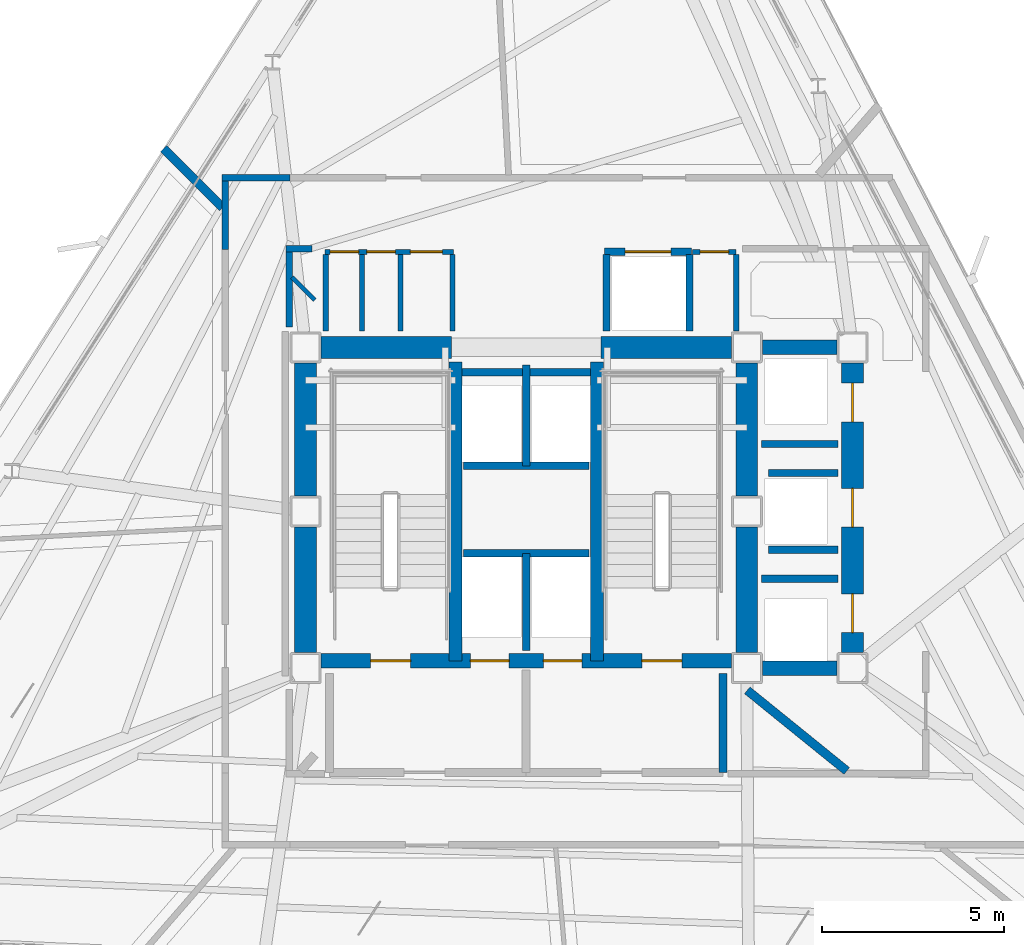
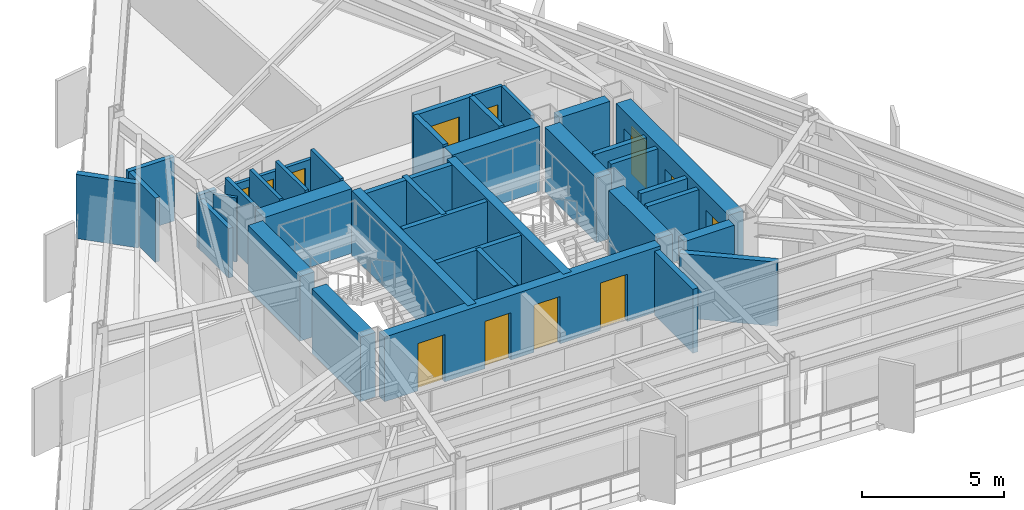
# One storey, part 8 of 12: 39 walls, 12 doors, 12 openings.
"""IFC4 building model written with IfcOpenShell, lengths in metres."""

from ifc_helpers import new_model, si_unit, direction, frame, frame_2d, origin, place, context, subcontext, project, spatial, rectangle, extrude, material, layer, layer_set, type_object, element, fill, save


model = new_model("IFC4")

# Units and contexts
model_context = context("Model", 3, precision=1e-05, world=origin(), true_north=direction((0.0, 1.0)))
body_context = subcontext(model_context, "Body", "Model", "MODEL_VIEW")
ifc_project = project(units=[si_unit("LENGTHUNIT", "METRE"), si_unit("AREAUNIT", "SQUARE_METRE"), si_unit("VOLUMEUNIT", "CUBIC_METRE"), si_unit("PLANEANGLEUNIT", "RADIAN"), si_unit("MASSUNIT", "GRAM", prefix="KILO")], contexts=[model_context])

# Site, building, storey
site_placement = place(None, origin())
site = spatial("IfcSite", under=ifc_project, at=site_placement, CompositionType="ELEMENT")
building_placement = place(site_placement, origin())
building = spatial("IfcBuilding", under=site, at=building_placement, Name="Rocaltana Carrier Exchange", CompositionType="ELEMENT")
storey_placement = place(building_placement, frame((0.0, 0.0, 128.9599609375)))
storey = spatial("IfcBuildingStorey", under=building, at=storey_placement, Name="L40", CompositionType="ELEMENT", Elevation=128.9599609375)

# Walls
ifc_material_1 = material(Name="Concrete C50/60", Category="concrete")
ifc_layer_1 = layer(ifc_material_1, 0.35009765625)
ifc_layer_set_1 = layer_set([ifc_layer_1], Name="Concrete C50/60")
wall_type_1 = type_object("IfcWallType", Name="Core Internal Shear Wall 350", PredefinedType="SHEAR", material=ifc_layer_set_1)
for number, where, z_axis, x_axis, name in (
    (1, (-1.93994140625, -4.10009765625, 0.0), (0.0, 0.0, 1.0), (0.0, 1.0, 0.0), "L40 Core Shear Wall CW-STW"),
    (2, (1.93994140625, -4.10009765625, 0.0), (0.0, 0.0, 1.0), (0.0, 1.0, 0.0), "L40 Core Shear Wall CW-STE"),
):
    element("IfcWall", number, at=place(storey_placement, frame(where, z_axis=z_axis, x_axis=x_axis)), inside=storey, type_object=wall_type_1, Name=name, PredefinedType="SHEAR", context=body_context, shape_type="SweptSolid", body=[
        extrude(rectangle(XDim=8.2001953125, YDim=0.35009765625, at=frame_2d((4.10009765625, 0.0))), origin(), (0.0, 0.0, 1.0), 2.7880859375),
    ])

# Wall, openings, doors
ifc_material_2 = material(Name="Concrete C50/60", Category="concrete")
ifc_layer_2 = layer(ifc_material_2, 0.39990234375)
ifc_layer_set_2 = layer_set([ifc_layer_2], Name="Concrete C50/60")
wall_type_2 = type_object("IfcWallType", Name="Core Internal Shear Wall 400", PredefinedType="SHEAR", material=ifc_layer_set_2)
wall_1_placement = place(storey_placement, frame((-5.625, -4.10009765625, 0.0), z_axis=(0.0, 0.0, 1.0), x_axis=(1.0, 0.0, 0.0)))
wall_1 = element("IfcWall", 3, at=wall_1_placement, inside=storey, type_object=wall_type_2, Name="L40 Core Shear Wall CW-S", PredefinedType="SHEAR", context=body_context, shape_type="SweptSolid", body=[
    extrude(rectangle(XDim=11.25, YDim=0.39990234375, at=frame_2d((5.625, 0.0))), origin(), (0.0, 0.0, 1.0), 2.7880859375),
])
opening_1_placement = place(wall_1_placement, frame((1.35498046875, 0.0, 0.0)))
opening_1 = element("IfcOpeningElement", 4, at=opening_1_placement, cuts=wall_1, Name="Opening D-ST110", PredefinedType="OPENING", context=body_context, shape_type="SweptSolid", body=[
    extrude(rectangle(XDim=1.10009765625, YDim=2.0400390625, at=frame_2d((0.550048828125, 1.02001953125))), frame((0.0, 0.2099609375, 0.0), z_axis=(0.0, -1.0, 0.0), x_axis=(1.0, 0.0, 0.0)), (0.0, 0.0, 1.0), 0.419921875),
])
opening_2_placement = place(wall_1_placement, frame((8.794921875, 0.0, 0.0)))
opening_2 = element("IfcOpeningElement", 5, at=opening_2_placement, cuts=wall_1, Name="Opening D-ST110", PredefinedType="OPENING", context=body_context, shape_type="SweptSolid", body=[
    extrude(rectangle(XDim=1.10009765625, YDim=2.0400390625, at=frame_2d((0.550048828125, 1.02001953125))), frame((0.0, 0.2099609375, 0.0), z_axis=(0.0, -1.0, 0.0), x_axis=(1.0, 0.0, 0.0)), (0.0, 0.0, 1.0), 0.419921875),
])
opening_3_placement = place(wall_1_placement, frame((4.094970703125, 0.0, 0.0)))
opening_3 = element("IfcOpeningElement", 6, at=opening_3_placement, cuts=wall_1, Name="Opening LD-110", PredefinedType="OPENING", context=body_context, shape_type="SweptSolid", body=[
    extrude(rectangle(XDim=1.06005859375, YDim=2.0400390625, at=frame_2d((0.530029296875, 1.02001953125))), frame((0.0, 0.2099609375, 0.0), z_axis=(0.0, -1.0, 0.0), x_axis=(1.0, 0.0, 0.0)), (0.0, 0.0, 1.0), 0.419921875),
])
opening_4_placement = place(wall_1_placement, frame((6.094970703125, 0.0, 0.0)))
opening_4 = element("IfcOpeningElement", 7, at=opening_4_placement, cuts=wall_1, Name="Opening LD-110", PredefinedType="OPENING", context=body_context, shape_type="SweptSolid", body=[
    extrude(rectangle(XDim=1.06005859375, YDim=2.0400390625, at=frame_2d((0.530029296875, 1.02001953125))), frame((0.0, 0.2099609375, 0.0), z_axis=(0.0, -1.0, 0.0), x_axis=(1.0, 0.0, 0.0)), (0.0, 0.0, 1.0), 0.419921875),
])
ifc_material_3 = material(Name="Hollow Metal Fire Door Assembly", Category="steel")
door_type_1 = type_object("IfcDoorType", Name="Exit Stair Fire Door 1100x2040 FD90S", OperationType="NOTDEFINED", PredefinedType="DOOR", material=ifc_material_3)
door_1_placement = place(opening_1_placement, origin())
door_1 = element("IfcDoor", 8, at=door_1_placement, inside=storey, type_object=door_type_1, Name="L40 Exit Stair ST1 Fire Door", OperationType="SINGLE_SWING_RIGHT", OverallHeight=2.0400390625, OverallWidth=1.10009765625, PredefinedType="DOOR", context=body_context, shape_type="SweptSolid", body=[
    extrude(rectangle(XDim=1.10009765625, YDim=2.0400390625, at=frame_2d((0.550048828125, 1.02001953125))), frame((0.0, 0.02490234375, 0.0), z_axis=(0.0, -1.0, 0.0), x_axis=(1.0, 0.0, 0.0)), (0.0, 0.0, 1.0), 0.050048828125),
])
fill(opening_1, door_1)
door_2_placement = place(opening_2_placement, origin())
door_2 = element("IfcDoor", 9, at=door_2_placement, inside=storey, type_object=door_type_1, Name="L40 Exit Stair ST2 Fire Door", OperationType="SINGLE_SWING_LEFT", OverallHeight=2.0400390625, OverallWidth=1.10009765625, PredefinedType="DOOR", context=body_context, shape_type="SweptSolid", body=[
    extrude(rectangle(XDim=1.10009765625, YDim=2.0400390625, at=frame_2d((0.550048828125, 1.02001953125))), frame((0.0, 0.02490234375, 0.0), z_axis=(0.0, -1.0, 0.0), x_axis=(1.0, 0.0, 0.0)), (0.0, 0.0, 1.0), 0.050048828125),
])
fill(opening_2, door_2)
ifc_material_4 = material(Name="Brushed Stainless Sliding Door Leaf", Category="steel")
door_type_2 = type_object("IfcDoorType", Name="Lift Landing Sliding Door 1060x2040", OperationType="NOTDEFINED", PredefinedType="DOOR", material=ifc_material_4)
door_3_placement = place(opening_3_placement, origin())
door_3 = element("IfcDoor", 10, at=door_3_placement, inside=storey, type_object=door_type_2, Name="L40 Firefighting Lift FFL1 Landing Door", OperationType="SLIDING_TO_LEFT", OverallHeight=2.0400390625, OverallWidth=1.06005859375, PredefinedType="DOOR", context=body_context, shape_type="SweptSolid", body=[
    extrude(rectangle(XDim=1.06005859375, YDim=2.0400390625, at=frame_2d((0.530029296875, 1.02001953125))), frame((0.0, 0.02490234375, 0.0), z_axis=(0.0, -1.0, 0.0), x_axis=(1.0, 0.0, 0.0)), (0.0, 0.0, 1.0), 0.050048828125),
])
fill(opening_3, door_3)
door_4_placement = place(opening_4_placement, origin())
door_4 = element("IfcDoor", 11, at=door_4_placement, inside=storey, type_object=door_type_2, Name="L40 Firefighting Lift FFL2 Landing Door", OperationType="SLIDING_TO_RIGHT", OverallHeight=2.0400390625, OverallWidth=1.06005859375, PredefinedType="DOOR", context=body_context, shape_type="SweptSolid", body=[
    extrude(rectangle(XDim=1.06005859375, YDim=2.0400390625, at=frame_2d((0.530029296875, 1.02001953125))), frame((0.0, 0.02490234375, 0.0), z_axis=(0.0, -1.0, 0.0), x_axis=(1.0, 0.0, 0.0)), (0.0, 0.0, 1.0), 0.050048828125),
])
fill(opening_4, door_4)

# Walls
for number, where, z_axis, x_axis, name in (
    (12, (6.47509765625, 4.5, 0.0), (0.0, 0.0, 1.0), (1.0, 0.0, 0.0), "L40 Core Shear Wall CW-EWN"),
    (13, (6.47509765625, -4.300048828125, 0.0), (0.0, 0.0, 1.0), (1.0, 0.0, 0.0), "L40 Core Shear Wall CW-EWS"),
):
    element("IfcWall", number, at=place(storey_placement, frame(where, z_axis=z_axis, x_axis=x_axis)), inside=storey, type_object=wall_type_2, Name=name, PredefinedType="SHEAR", context=body_context, shape_type="SweptSolid", body=[
        extrude(rectangle(XDim=2.0498046875, YDim=0.39990234375, at=frame_2d((1.02490234375, 0.0))), origin(), (0.0, 0.0, 1.0), 2.7880859375),
    ])
ifc_material_5 = material(Name="Concrete C50/60", Category="concrete")
ifc_layer_3 = layer(ifc_material_5, 0.60009765625)
ifc_layer_set_3 = layer_set([ifc_layer_3], Name="Concrete C50/60")
wall_type_3 = type_object("IfcWallType", Name="Core Shear Wall 600", PredefinedType="SHEAR", material=ifc_layer_set_3)
wall_2_placement = place(storey_placement, frame((-6.050048828125, 0.425048828125, 0.0), z_axis=(0.0, 0.0, 1.0), x_axis=(0.0, 1.0, 0.0)))
element("IfcWall", 14, at=wall_2_placement, inside=storey, type_object=wall_type_3, Name="L40 Core Shear Wall CW-WN", PredefinedType="SHEAR", context=body_context, shape_type="SweptSolid", body=[
    extrude(rectangle(XDim=3.64990234375, YDim=0.60009765625, at=frame_2d((1.824951171875, 0.0))), origin(), (0.0, 0.0, 1.0), 2.7880859375),
])
wall_3_placement = place(storey_placement, frame((-6.050048828125, -3.875, 0.0), z_axis=(0.0, 0.0, 1.0), x_axis=(0.0, 1.0, 0.0)))
element("IfcWall", 15, at=wall_3_placement, inside=storey, type_object=wall_type_3, Name="L40 Core Shear Wall CW-WS", PredefinedType="SHEAR", context=body_context, shape_type="SweptSolid", body=[
    extrude(rectangle(XDim=3.449951171875, YDim=0.60009765625, at=frame_2d((1.72509765625, 0.0))), origin(), (0.0, 0.0, 1.0), 2.7880859375),
])
wall_4_placement = place(storey_placement, frame((6.050048828125, 0.425048828125, 0.0), z_axis=(0.0, 0.0, 1.0), x_axis=(0.0, 1.0, 0.0)))
element("IfcWall", 16, at=wall_4_placement, inside=storey, type_object=wall_type_3, Name="L40 Core Shear Wall CW-EN", PredefinedType="SHEAR", context=body_context, shape_type="SweptSolid", body=[
    extrude(rectangle(XDim=3.64990234375, YDim=0.60009765625, at=frame_2d((1.824951171875, 0.0))), origin(), (0.0, 0.0, 1.0), 2.7880859375),
])
wall_5_placement = place(storey_placement, frame((6.050048828125, -3.875, 0.0), z_axis=(0.0, 0.0, 1.0), x_axis=(0.0, 1.0, 0.0)))
element("IfcWall", 17, at=wall_5_placement, inside=storey, type_object=wall_type_3, Name="L40 Core Shear Wall CW-ES", PredefinedType="SHEAR", context=body_context, shape_type="SweptSolid", body=[
    extrude(rectangle(XDim=3.449951171875, YDim=0.60009765625, at=frame_2d((1.72509765625, 0.0))), origin(), (0.0, 0.0, 1.0), 2.7880859375),
])
for number, where, z_axis, x_axis, name in (
    (18, (-5.625, 4.5, 0.0), (0.0, 0.0, 1.0), (1.0, 0.0, 0.0), "L40 Core Shear Wall CW-N1"),
    (19, (2.050048828125, 4.5, 0.0), (0.0, 0.0, 1.0), (1.0, 0.0, 0.0), "L40 Core Shear Wall CW-N2"),
):
    element("IfcWall", number, at=place(storey_placement, frame(where, z_axis=z_axis, x_axis=x_axis)), inside=storey, type_object=wall_type_3, Name=name, PredefinedType="SHEAR", context=body_context, shape_type="SweptSolid", body=[
        extrude(rectangle(XDim=3.574951171875, YDim=0.60009765625, at=frame_2d((1.78759765625, 0.0))), origin(), (0.0, 0.0, 1.0), 2.7880859375),
    ])

# Wall, openings, doors
wall_6_placement = place(storey_placement, frame((8.949951171875, -3.875, 0.0), z_axis=(0.0, 0.0, 1.0), x_axis=(0.0, 1.0, 0.0)))
wall_6 = element("IfcWall", 20, at=wall_6_placement, inside=storey, type_object=wall_type_3, Name="L40 Core Shear Wall CW-EW", PredefinedType="SHEAR", context=body_context, shape_type="SweptSolid", body=[
    extrude(rectangle(XDim=7.949951171875, YDim=0.60009765625, at=frame_2d((3.97509765625, 0.0))), origin(), (0.0, 0.0, 1.0), 2.7880859375),
])
opening_5_placement = place(wall_6_placement, frame((0.550048828125, 0.0, 0.0)))
opening_5 = element("IfcOpeningElement", 21, at=opening_5_placement, cuts=wall_6, Name="Opening LD-110", PredefinedType="OPENING", context=body_context, shape_type="SweptSolid", body=[
    extrude(rectangle(XDim=1.06005859375, YDim=2.0400390625, at=frame_2d((0.530029296875, 1.02001953125))), frame((0.0, 0.31005859375, 0.0), z_axis=(0.0, -1.0, 0.0), x_axis=(1.0, 0.0, 0.0)), (0.0, 0.0, 1.0), 0.6201171875),
])
opening_6_placement = place(wall_6_placement, frame((3.445068359375, 0.0, 0.0)))
opening_6 = element("IfcOpeningElement", 22, at=opening_6_placement, cuts=wall_6, Name="Opening LD-110", PredefinedType="OPENING", context=body_context, shape_type="SweptSolid", body=[
    extrude(rectangle(XDim=1.06005859375, YDim=2.0400390625, at=frame_2d((0.530029296875, 1.02001953125))), frame((0.0, 0.31005859375, 0.0), z_axis=(0.0, -1.0, 0.0), x_axis=(1.0, 0.0, 0.0)), (0.0, 0.0, 1.0), 0.6201171875),
])
opening_7_placement = place(wall_6_placement, frame((6.330078125, 0.0, 0.0)))
opening_7 = element("IfcOpeningElement", 23, at=opening_7_placement, cuts=wall_6, Name="Opening LD-110", PredefinedType="OPENING", context=body_context, shape_type="SweptSolid", body=[
    extrude(rectangle(XDim=1.06005859375, YDim=2.0400390625, at=frame_2d((0.530029296875, 1.02001953125))), frame((0.0, 0.31005859375, 0.0), z_axis=(0.0, -1.0, 0.0), x_axis=(1.0, 0.0, 0.0)), (0.0, 0.0, 1.0), 0.6201171875),
])
door_5_placement = place(opening_5_placement, origin())
door_5 = element("IfcDoor", 24, at=door_5_placement, inside=storey, type_object=door_type_2, Name="L40 Mid-Rise Lift PL-M1 Landing Door", OperationType="SLIDING_TO_LEFT", OverallHeight=2.0400390625, OverallWidth=1.06005859375, PredefinedType="DOOR", context=body_context, shape_type="SweptSolid", body=[
    extrude(rectangle(XDim=1.06005859375, YDim=2.0400390625, at=frame_2d((0.530029296875, 1.02001953125))), frame((0.0, 0.02490234375, 0.0), z_axis=(0.0, -1.0, 0.0), x_axis=(1.0, 0.0, 0.0)), (0.0, 0.0, 1.0), 0.050048828125),
])
fill(opening_5, door_5)
door_6_placement = place(opening_6_placement, origin())
door_6 = element("IfcDoor", 25, at=door_6_placement, inside=storey, type_object=door_type_2, Name="L40 Mid-Rise Lift PL-M2 Landing Door", OperationType="SLIDING_TO_RIGHT", OverallHeight=2.0400390625, OverallWidth=1.06005859375, PredefinedType="DOOR", context=body_context, shape_type="SweptSolid", body=[
    extrude(rectangle(XDim=1.06005859375, YDim=2.0400390625, at=frame_2d((0.530029296875, 1.02001953125))), frame((0.0, 0.02490234375, 0.0), z_axis=(0.0, -1.0, 0.0), x_axis=(1.0, 0.0, 0.0)), (0.0, 0.0, 1.0), 0.050048828125),
])
fill(opening_6, door_6)
door_7_placement = place(opening_7_placement, origin())
door_7 = element("IfcDoor", 26, at=door_7_placement, inside=storey, type_object=door_type_2, Name="L40 Mid-Rise Lift PL-M3 Landing Door", OperationType="SLIDING_TO_LEFT", OverallHeight=2.0400390625, OverallWidth=1.06005859375, PredefinedType="DOOR", context=body_context, shape_type="SweptSolid", body=[
    extrude(rectangle(XDim=1.06005859375, YDim=2.0400390625, at=frame_2d((0.530029296875, 1.02001953125))), frame((0.0, 0.02490234375, 0.0), z_axis=(0.0, -1.0, 0.0), x_axis=(1.0, 0.0, 0.0)), (0.0, 0.0, 1.0), 0.050048828125),
])
fill(opening_7, door_7)

# Walls
ifc_material_6 = material(Name="Gypsum & Steel Stud Partition", Category="steel")
ifc_layer_4 = layer(ifc_material_6, 0.179931640625)
ifc_layer_set_4 = layer_set([ifc_layer_4], Name="Gypsum & Steel Stud Partition")
wall_type_4 = type_object("IfcWallType", Name="Corridor Fire Partition 180 EI60", PredefinedType="PARTITIONING", material=ifc_layer_set_4)
wall_7_placement = place(storey_placement, frame((-8.25, 7.179931640625, 0.0), z_axis=(0.0, 0.0, 1.0), x_axis=(0.0, 1.0, 0.0)))
element("IfcWall", 27, at=wall_7_placement, inside=storey, type_object=wall_type_4, Name="L40 Corridor Partition 4", PredefinedType="PARTITIONING", context=body_context, shape_type="SweptSolid", body=[
    extrude(rectangle(XDim=1.880126953125, YDim=0.179931640625, at=frame_2d((0.93994140625, 0.0))), origin(), (0.0, 0.0, 1.0), 2.762939453125),
])
wall_8_placement = place(storey_placement, frame((-8.340087890625, 9.14990234375, 0.0), z_axis=(0.0, 0.0, 1.0), x_axis=(1.0, 0.0, 0.0)))
element("IfcWall", 28, at=wall_8_placement, inside=storey, type_object=wall_type_4, Name="L40 Corridor Partition 5", PredefinedType="PARTITIONING", context=body_context, shape_type="SweptSolid", body=[
    extrude(rectangle(XDim=1.860107421875, YDim=0.179931640625, at=frame_2d((0.93017578125, 0.0))), origin(), (0.0, 0.0, 1.0), 2.762939453125),
])
wall_9_placement = place(storey_placement, frame((-5.8798828125, 7.199951171875, 0.0), z_axis=(0.0, 0.0, 1.0), x_axis=(-1.0, 0.0, 0.0)))
element("IfcWall", 29, at=wall_9_placement, inside=storey, type_object=wall_type_4, Name="L40 Corridor Partition 16", PredefinedType="PARTITIONING", context=body_context, shape_type="SweptSolid", body=[
    extrude(rectangle(XDim=0.710205078125, YDim=0.179931640625, at=frame_2d((0.35498046875, 0.0))), origin(), (0.0, 0.0, 1.0), 2.330078125),
])
wall_10_placement = place(storey_placement, frame((-6.5, 7.110107421875, 0.0), z_axis=(0.0, 0.0, 1.0), x_axis=(0.0, -1.0, 0.0)))
element("IfcWall", 30, at=wall_10_placement, inside=storey, type_object=wall_type_4, Name="L40 Corridor Partition 17", PredefinedType="PARTITIONING", context=body_context, shape_type="SweptSolid", body=[
    extrude(rectangle(XDim=2.058349609375, YDim=0.179931640625, at=frame_2d((1.029296875, 0.0))), origin(), (0.0, 0.0, 1.0), 2.132080078125),
])
ifc_material_7 = material(Name="Aluminium 6063-T6 & Acoustic Glass", Category="aluminium")
ifc_layer_5 = layer(ifc_material_7, 0.114990234375)
ifc_layer_set_5 = layer_set([ifc_layer_5], Name="Aluminium 6063-T6 & Acoustic Glass")
wall_type_5 = type_object("IfcWallType", Name="Demountable Glazed Lab Partition 115", PredefinedType="MOVABLE", material=ifc_layer_set_5)
wall_11_placement = place(storey_placement, frame((-5.800048828125, 5.800048828125, 0.0), z_axis=(0.0, 0.0, 1.0), x_axis=(-0.707106781187, 0.707106781187, 0.0)))
element("IfcWall", 31, at=wall_11_placement, inside=storey, type_object=wall_type_5, Name="L40 Suite Divider Wall D10", PredefinedType="MOVABLE", context=body_context, shape_type="SweptSolid", body=[
    extrude(rectangle(XDim=0.876708984375, YDim=0.114990234375, at=frame_2d((0.4384765625, 0.0))), origin(), (0.0, 0.0, 1.0), 2.762939453125),
])
ifc_material_8 = material(Name="Autoclaved Aerated Concrete C30/37", Category="concrete")
ifc_layer_6 = layer(ifc_material_8, 0.219970703125)
ifc_layer_set_6 = layer_set([ifc_layer_6], Name="Autoclaved Aerated Concrete C30/37")
wall_type_6 = type_object("IfcWallType", Name="Firefighting Lobby Wall 220 EI120", PredefinedType="PARTITIONING", material=ifc_layer_set_6)
wall_12_placement = place(storey_placement, frame((5.39990234375, -7.159912109375, 0.0), z_axis=(0.0, 0.0, 1.0), x_axis=(0.0, 1.0, 0.0)))
element("IfcWall", 32, at=wall_12_placement, inside=storey, type_object=wall_type_6, Name="L40 FFL Lobby 2 East Wall", PredefinedType="PARTITIONING", context=body_context, shape_type="SweptSolid", body=[
    extrude(rectangle(XDim=2.7099609375, YDim=0.219970703125, at=frame_2d((1.35498046875, 0.0))), origin(), (0.0, 0.0, 1.0), 2.762939453125),
])
ifc_material_9 = material(Name="Acoustic Calcium Silicate Partition", Category="gypsum")
ifc_layer_7 = layer(ifc_material_9, 0.239990234375)
ifc_layer_set_7 = layer_set([ifc_layer_7], Name="Acoustic Calcium Silicate Partition")
wall_type_7 = type_object("IfcWallType", Name="Heavy Lab Partition 240 EI90", PredefinedType="PARTITIONING", material=ifc_layer_set_7)
wall_13_placement = place(storey_placement, frame((6.063232421875, -4.909912109375, 0.0), z_axis=(0.0, 0.0, 1.0), x_axis=(0.777131535724, -0.629338204929, 0.0)))
element("IfcWall", 33, at=wall_13_placement, inside=storey, type_object=wall_type_7, Name="L40 Suite Divider Wall D5", PredefinedType="PARTITIONING", context=body_context, shape_type="SweptSolid", body=[
    extrude(rectangle(XDim=3.511962890625, YDim=0.239990234375, at=frame_2d((1.755859375, 0.0))), origin(), (0.0, 0.0, 1.0), 2.762939453125),
])
wall_14_placement = place(storey_placement, frame((-8.330078125, 8.330078125, 0.0), z_axis=(0.0, 0.0, 1.0), x_axis=(-0.707106781187, 0.707106781187, 0.0)))
element("IfcWall", 34, at=wall_14_placement, inside=storey, type_object=wall_type_7, Name="L40 Suite Divider Wall D11", PredefinedType="PARTITIONING", context=body_context, shape_type="SweptSolid", body=[
    extrude(rectangle(XDim=2.283935546875, YDim=0.239990234375, at=frame_2d((1.14208984375, 0.0))), origin(), (0.0, 0.0, 1.0), 2.762939453125),
])
ifc_material_10 = material(Name="Reinforced Concrete Block C35/45", Category="concrete")
ifc_layer_8 = layer(ifc_material_10, 0.199951171875)
ifc_layer_set_8 = layer_set([ifc_layer_8], Name="Reinforced Concrete Block C35/45")
wall_type_8 = type_object("IfcWallType", Name="Lift Hoistway Enclosure Wall 200 EI120", PredefinedType="PARTITIONING", material=ifc_layer_set_8)
wall_15_placement = place(storey_placement, frame((0.0, -3.820068359375, 0.0), z_axis=(0.0, 0.0, 1.0), x_axis=(0.0, 1.0, 0.0)))
element("IfcWall", 35, at=wall_15_placement, inside=storey, type_object=wall_type_8, Name="L40 FFL Shaft Divider", PredefinedType="PARTITIONING", context=body_context, shape_type="SweptSolid", body=[
    extrude(rectangle(XDim=2.670166015625, YDim=0.199951171875, at=frame_2d((1.3349609375, 0.0))), origin(), (0.0, 0.0, 1.0), 2.762939453125),
])
wall_16_placement = place(storey_placement, frame((-1.719970703125, -1.14990234375, 0.0), z_axis=(0.0, 0.0, 1.0), x_axis=(1.0, 0.0, 0.0)))
element("IfcWall", 36, at=wall_16_placement, inside=storey, type_object=wall_type_8, Name="L40 FFL Shaft Back Wall", PredefinedType="PARTITIONING", context=body_context, shape_type="SweptSolid", body=[
    extrude(rectangle(XDim=3.43994140625, YDim=0.199951171875, at=frame_2d((1.719970703125, 0.0))), origin(), (0.0, 0.0, 1.0), 2.762939453125),
])
wall_17_placement = place(storey_placement, frame((0.0, 1.25, 0.0), z_axis=(0.0, 0.0, 1.0), x_axis=(0.0, 1.0, 0.0)))
element("IfcWall", 37, at=wall_17_placement, inside=storey, type_object=wall_type_8, Name="L40 High-Rise Shaft Divider", PredefinedType="PARTITIONING", context=body_context, shape_type="SweptSolid", body=[
    extrude(rectangle(XDim=2.77001953125, YDim=0.199951171875, at=frame_2d((1.385009765625, 0.0))), origin(), (0.0, 0.0, 1.0), 2.762939453125),
])
wall_18_placement = place(storey_placement, frame((-1.719970703125, 1.25, 0.0), z_axis=(0.0, 0.0, 1.0), x_axis=(1.0, 0.0, 0.0)))
element("IfcWall", 38, at=wall_18_placement, inside=storey, type_object=wall_type_8, Name="L40 High-Rise Shaft Back Wall", PredefinedType="PARTITIONING", context=body_context, shape_type="SweptSolid", body=[
    extrude(rectangle(XDim=3.43994140625, YDim=0.199951171875, at=frame_2d((1.719970703125, 0.0))), origin(), (0.0, 0.0, 1.0), 2.762939453125),
])
wall_19_placement = place(storey_placement, frame((-1.760009765625, 3.820068359375, 0.0), z_axis=(0.0, 0.0, 1.0), x_axis=(1.0, 0.0, 0.0)))
element("IfcWall", 39, at=wall_19_placement, inside=storey, type_object=wall_type_8, Name="L40 High-Rise Lift Front Wall", PredefinedType="PARTITIONING", context=body_context, shape_type="SweptSolid", body=[
    extrude(rectangle(XDim=3.52001953125, YDim=0.199951171875, at=frame_2d((1.760009765625, 0.0))), origin(), (0.0, 0.0, 1.0), 2.762939453125),
])
for number, where, z_axis, x_axis, name in (
    (40, (2.199951171875, 4.949951171875, 0.0), (0.0, 0.0, 1.0), (0.0, 1.0, 0.0), "L40 Goods Lift West Wall"),
    (41, (4.47998046875, 4.949951171875, 0.0), (0.0, 0.0, 1.0), (0.0, 1.0, 0.0), "L40 Goods Lift East Wall"),
):
    element("IfcWall", number, at=place(storey_placement, frame(where, z_axis=z_axis, x_axis=x_axis)), inside=storey, type_object=wall_type_8, Name=name, PredefinedType="PARTITIONING", context=body_context, shape_type="SweptSolid", body=[
        extrude(rectangle(XDim=2.10009765625, YDim=0.199951171875, at=frame_2d((1.050048828125, 0.0))), origin(), (0.0, 0.0, 1.0), 2.762939453125),
    ])

# Wall, opening, door
wall_20_placement = place(storey_placement, frame((2.14990234375, 7.1201171875, 0.0), z_axis=(0.0, 0.0, 1.0), x_axis=(1.0, 0.0, 0.0)))
wall_20 = element("IfcWall", 42, at=wall_20_placement, inside=storey, type_object=wall_type_8, Name="L40 Goods Lift Front Wall", PredefinedType="PARTITIONING", context=body_context, shape_type="SweptSolid", body=[
    extrude(rectangle(XDim=2.380126953125, YDim=0.199951171875, at=frame_2d((1.18994140625, 0.0))), origin(), (0.0, 0.0, 1.0), 2.762939453125),
])
opening_8_placement = place(wall_20_placement, frame((0.56005859375, 0.0, 0.0)))
opening_8 = element("IfcOpeningElement", 43, at=opening_8_placement, cuts=wall_20, Name="Opening LD-130", PredefinedType="OPENING", context=body_context, shape_type="SweptSolid", body=[
    extrude(rectangle(XDim=1.260009765625, YDim=2.06005859375, at=frame_2d((0.6298828125, 1.030029296875))), frame((0.0, 0.10986328125, 0.0), z_axis=(0.0, -1.0, 0.0), x_axis=(1.0, 0.0, 0.0)), (0.0, 0.0, 1.0), 0.219970703125),
])
ifc_material_11 = material(Name="Brushed Stainless Sliding Door Leaf", Category="steel")
door_type_3 = type_object("IfcDoorType", Name="Goods Lift Landing Sliding Door 1260x2060", OperationType="NOTDEFINED", PredefinedType="DOOR", material=ifc_material_11)
door_8_placement = place(opening_8_placement, origin())
door_8 = element("IfcDoor", 44, at=door_8_placement, inside=storey, type_object=door_type_3, Name="L40 Goods Lift GL-1 Landing Door", OperationType="SLIDING_TO_LEFT", OverallHeight=2.06005859375, OverallWidth=1.260009765625, PredefinedType="DOOR", context=body_context, shape_type="SweptSolid", body=[
    extrude(rectangle(XDim=1.260009765625, YDim=2.06005859375, at=frame_2d((0.6298828125, 1.030029296875))), frame((0.0, 0.02490234375, 0.0), z_axis=(0.0, -1.0, 0.0), x_axis=(1.0, 0.0, 0.0)), (0.0, 0.0, 1.0), 0.050048828125),
])
fill(opening_8, door_8)

# Walls
for number, where, z_axis, x_axis, name in (
    (45, (6.449951171875, -1.85009765625, 0.0), (0.0, 0.0, 1.0), (1.0, 0.0, 0.0), "L40 Mid-Rise Shaft Divider 1"),
    (46, (6.449951171875, 1.85009765625, 0.0), (0.0, 0.0, 1.0), (1.0, 0.0, 0.0), "L40 Mid-Rise Shaft Divider 2"),
):
    element("IfcWall", number, at=place(storey_placement, frame(where, z_axis=z_axis, x_axis=x_axis)), inside=storey, type_object=wall_type_8, Name=name, PredefinedType="PARTITIONING", context=body_context, shape_type="SweptSolid", body=[
        extrude(rectangle(XDim=2.10009765625, YDim=0.199951171875, at=frame_2d((1.050048828125, 0.0))), origin(), (0.0, 0.0, 1.0), 2.762939453125),
    ])
for number, where, z_axis, x_axis, name in (
    (47, (6.639892578125, -1.050048828125, 0.0), (0.0, 0.0, 1.0), (1.0, 0.0, 0.0), "L40 Mid-Rise Center Shaft Wall South"),
    (48, (6.639892578125, 1.050048828125, 0.0), (0.0, 0.0, 1.0), (1.0, 0.0, 0.0), "L40 Mid-Rise Center Shaft Wall North"),
):
    element("IfcWall", number, at=place(storey_placement, frame(where, z_axis=z_axis, x_axis=x_axis)), inside=storey, type_object=wall_type_8, Name=name, PredefinedType="PARTITIONING", context=body_context, shape_type="SweptSolid", body=[
        extrude(rectangle(XDim=1.91015625, YDim=0.199951171875, at=frame_2d((0.955078125, 0.0))), origin(), (0.0, 0.0, 1.0), 2.762939453125),
    ])
ifc_material_12 = material(Name="Moisture-Resistant Masonry C30/37", Category="masonry")
ifc_layer_9 = layer(ifc_material_12, 0.139892578125)
ifc_layer_set_9 = layer_set([ifc_layer_9], Name="Moisture-Resistant Masonry C30/37")
wall_type_9 = type_object("IfcWallType", Name="Wet-Area Sanitary Partition 140", PredefinedType="PARTITIONING", material=ifc_layer_set_9)
for number, where, z_axis, x_axis, name in (
    (49, (-5.5, 4.949951171875, 0.0), (0.0, 0.0, 1.0), (0.0, 1.0, 0.0), "L40 Sanitary West Wall"),
    (50, (-4.5, 4.949951171875, 0.0), (0.0, 0.0, 1.0), (0.0, 1.0, 0.0), "L40 Sanitary Divider 1"),
    (51, (-3.449951171875, 4.949951171875, 0.0), (0.0, 0.0, 1.0), (0.0, 1.0, 0.0), "L40 Sanitary Divider 2"),
    (52, (-2.02001953125, 4.949951171875, 0.0), (0.0, 0.0, 1.0), (0.0, 1.0, 0.0), "L40 Sanitary East Wall"),
):
    element("IfcWall", number, at=place(storey_placement, frame(where, z_axis=z_axis, x_axis=x_axis)), inside=storey, type_object=wall_type_9, Name=name, PredefinedType="PARTITIONING", context=body_context, shape_type="SweptSolid", body=[
        extrude(rectangle(XDim=2.10009765625, YDim=0.139892578125, at=frame_2d((1.050048828125, 0.0))), origin(), (0.0, 0.0, 1.0), 2.762939453125),
    ])

# Wall, openings, doors
wall_21_placement = place(storey_placement, frame((-5.52001953125, 7.1201171875, 0.0), z_axis=(0.0, 0.0, 1.0), x_axis=(1.0, 0.0, 0.0)))
wall_21 = element("IfcWall", 53, at=wall_21_placement, inside=storey, type_object=wall_type_9, Name="L40 Sanitary North Wall", PredefinedType="PARTITIONING", context=body_context, shape_type="SweptSolid", body=[
    extrude(rectangle(XDim=3.52001953125, YDim=0.139892578125, at=frame_2d((1.760009765625, 0.0))), origin(), (0.0, 0.0, 1.0), 2.330078125),
])
opening_9_placement = place(wall_21_placement, frame((0.139892578125, 0.0, 0.0)))
opening_9 = element("IfcOpeningElement", 54, at=opening_9_placement, cuts=wall_21, Name="Opening D-RS082", PredefinedType="OPENING", context=body_context, shape_type="SweptSolid", body=[
    extrude(rectangle(XDim=0.780029296875, YDim=2.010009765625, at=frame_2d((0.39013671875, 1.0048828125))), frame((0.0, 0.079833984375, 0.0), z_axis=(0.0, -1.0, 0.0), x_axis=(1.0, 0.0, 0.0)), (0.0, 0.0, 1.0), 0.159912109375),
])
opening_10_placement = place(wall_21_placement, frame((1.14990234375, 0.0, 0.0)))
opening_10 = element("IfcOpeningElement", 55, at=opening_10_placement, cuts=wall_21, Name="Opening D-RS082", PredefinedType="OPENING", context=body_context, shape_type="SweptSolid", body=[
    extrude(rectangle(XDim=0.780029296875, YDim=2.010009765625, at=frame_2d((0.39013671875, 1.0048828125))), frame((0.0, 0.079833984375, 0.0), z_axis=(0.0, -1.0, 0.0), x_axis=(1.0, 0.0, 0.0)), (0.0, 0.0, 1.0), 0.159912109375),
])
opening_11_placement = place(wall_21_placement, frame((2.340087890625, 0.0, 0.0)))
opening_11 = element("IfcOpeningElement", 56, at=opening_11_placement, cuts=wall_21, Name="Opening D-WC090", PredefinedType="OPENING", context=body_context, shape_type="SweptSolid", body=[
    extrude(rectangle(XDim=0.8798828125, YDim=2.02001953125, at=frame_2d((0.43994140625, 1.010009765625))), frame((0.0, 0.079833984375, 0.0), z_axis=(0.0, -1.0, 0.0), x_axis=(1.0, 0.0, 0.0)), (0.0, 0.0, 1.0), 0.159912109375),
])
ifc_material_13 = material(Name="High-Pressure Laminate Timber", Category="wood")
door_type_4 = type_object("IfcDoorType", Name="Restroom & Accessible WC Door 880x2020", OperationType="NOTDEFINED", PredefinedType="DOOR", material=ifc_material_13)
door_9_placement = place(opening_11_placement, origin())
door_9 = element("IfcDoor", 57, at=door_9_placement, inside=storey, type_object=door_type_4, Name="L40 Accessible Toilet Door", OperationType="SINGLE_SWING_RIGHT", OverallHeight=2.02001953125, OverallWidth=0.8798828125, PredefinedType="DOOR", context=body_context, shape_type="SweptSolid", body=[
    extrude(rectangle(XDim=0.8798828125, YDim=2.02001953125, at=frame_2d((0.43994140625, 1.010009765625))), frame((0.0, 0.02490234375, 0.0), z_axis=(0.0, -1.0, 0.0), x_axis=(1.0, 0.0, 0.0)), (0.0, 0.0, 1.0), 0.050048828125),
])
fill(opening_11, door_9)
ifc_material_14 = material(Name="Hollow Metal Access Door Leaf", Category="steel")
door_type_5 = type_object("IfcDoorType", Name="Riser & Service Closet Door 780x2010", OperationType="NOTDEFINED", PredefinedType="DOOR", material=ifc_material_14)
door_10_placement = place(opening_9_placement, origin())
door_10 = element("IfcDoor", 58, at=door_10_placement, inside=storey, type_object=door_type_5, Name="L40 Cleaner Store Door", OperationType="SINGLE_SWING_RIGHT", OverallHeight=2.010009765625, OverallWidth=0.780029296875, PredefinedType="DOOR", context=body_context, shape_type="SweptSolid", body=[
    extrude(rectangle(XDim=0.780029296875, YDim=2.010009765625, at=frame_2d((0.39013671875, 1.0048828125))), frame((0.0, 0.02490234375, 0.0), z_axis=(0.0, -1.0, 0.0), x_axis=(1.0, 0.0, 0.0)), (0.0, 0.0, 1.0), 0.050048828125),
])
fill(opening_9, door_10)
door_11_placement = place(opening_10_placement, origin())
door_11 = element("IfcDoor", 59, at=door_11_placement, inside=storey, type_object=door_type_5, Name="L40 Staff Restroom Door", OperationType="SINGLE_SWING_LEFT", OverallHeight=2.010009765625, OverallWidth=0.780029296875, PredefinedType="DOOR", context=body_context, shape_type="SweptSolid", body=[
    extrude(rectangle(XDim=0.780029296875, YDim=2.010009765625, at=frame_2d((0.39013671875, 1.0048828125))), frame((0.0, 0.02490234375, 0.0), z_axis=(0.0, -1.0, 0.0), x_axis=(1.0, 0.0, 0.0)), (0.0, 0.0, 1.0), 0.050048828125),
])
fill(opening_10, door_11)

# Wall
wall_22_placement = place(storey_placement, frame((5.760009765625, 4.949951171875, 0.0), z_axis=(0.0, 0.0, 1.0), x_axis=(0.0, 1.0, 0.0)))
element("IfcWall", 60, at=wall_22_placement, inside=storey, type_object=wall_type_9, Name="L40 Riser East Wall", PredefinedType="PARTITIONING", context=body_context, shape_type="SweptSolid", body=[
    extrude(rectangle(XDim=2.10009765625, YDim=0.139892578125, at=frame_2d((1.050048828125, 0.0))), origin(), (0.0, 0.0, 1.0), 2.762939453125),
])

# Wall, opening, door
wall_23_placement = place(storey_placement, frame((4.56005859375, 7.1201171875, 0.0), z_axis=(0.0, 0.0, 1.0), x_axis=(1.0, 0.0, 0.0)))
wall_23 = element("IfcWall", 61, at=wall_23_placement, inside=storey, type_object=wall_type_9, Name="L40 Riser North Wall", PredefinedType="PARTITIONING", context=body_context, shape_type="SweptSolid", body=[
    extrude(rectangle(XDim=1.199951171875, YDim=0.139892578125, at=frame_2d((0.60009765625, 0.0))), origin(), (0.0, 0.0, 1.0), 2.762939453125),
])
opening_12_placement = place(wall_23_placement, frame((0.2099609375, 0.0, 0.0)))
opening_12 = element("IfcOpeningElement", 62, at=opening_12_placement, cuts=wall_23, Name="Opening D-RS082", PredefinedType="OPENING", context=body_context, shape_type="SweptSolid", body=[
    extrude(rectangle(XDim=0.780029296875, YDim=2.010009765625, at=frame_2d((0.39013671875, 1.0048828125))), frame((0.0, 0.079833984375, 0.0), z_axis=(0.0, -1.0, 0.0), x_axis=(1.0, 0.0, 0.0)), (0.0, 0.0, 1.0), 0.159912109375),
])
door_12_placement = place(opening_12_placement, origin())
door_12 = element("IfcDoor", 63, at=door_12_placement, inside=storey, type_object=door_type_5, Name="L40 Signal Riser Closet Door", OperationType="SINGLE_SWING_LEFT", OverallHeight=2.010009765625, OverallWidth=0.780029296875, PredefinedType="DOOR", context=body_context, shape_type="SweptSolid", body=[
    extrude(rectangle(XDim=0.780029296875, YDim=2.010009765625, at=frame_2d((0.39013671875, 1.0048828125))), frame((0.0, 0.02490234375, 0.0), z_axis=(0.0, -1.0, 0.0), x_axis=(1.0, 0.0, 0.0)), (0.0, 0.0, 1.0), 0.050048828125),
])
fill(opening_12, door_12)

save(model, "model.ifc")
